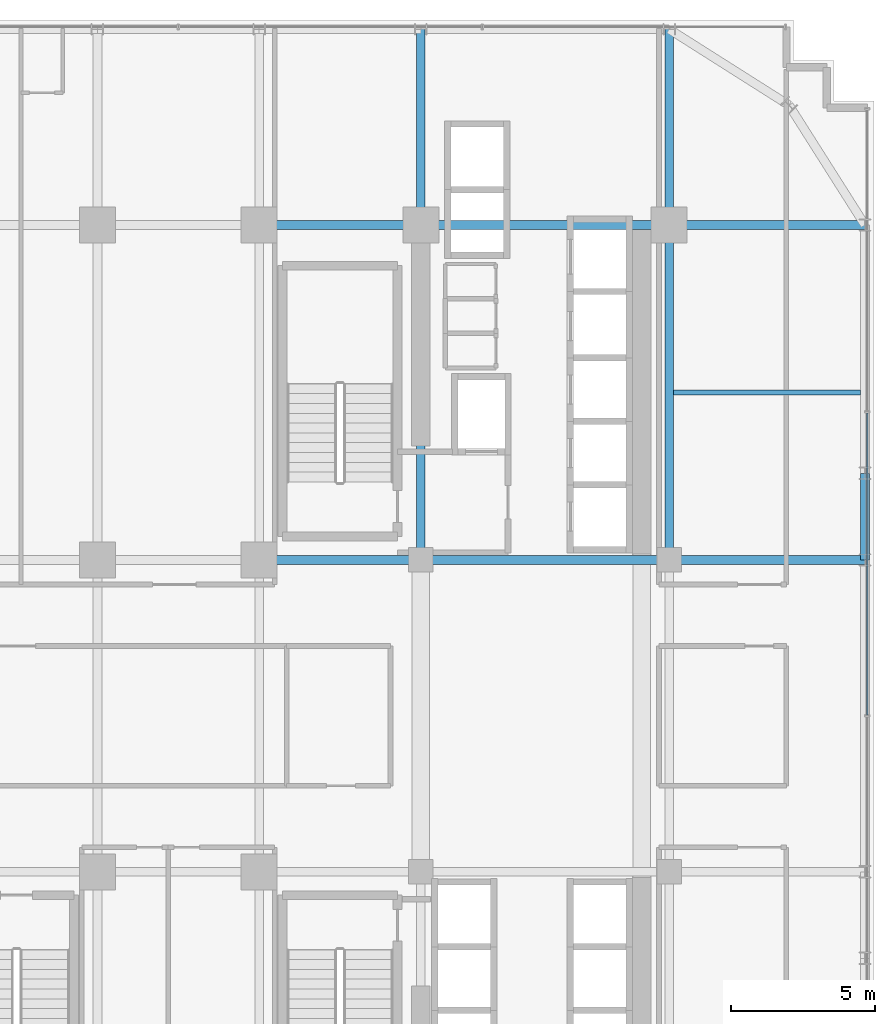
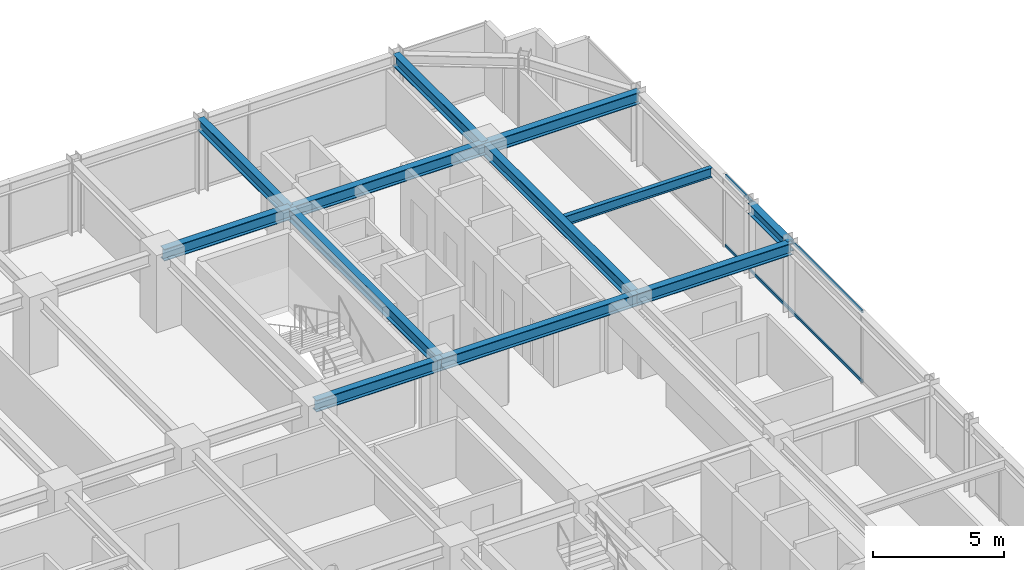
# One storey, part 21 of 32: 12 beams, 2 members, 1 element without a shape of its own.
"""IFC4 building model written with IfcOpenShell, lengths in metres."""

from ifc_helpers import new_model, si_unit, direction, frame, origin, origin_2d, place, context, subcontext, project, spatial, hollow_rectangle, i_section, extrude, source, transform, mapped, material, material_profile, profile_set, type_object, element, aggregate, save


model = new_model("IFC4")

# Units and contexts
model_context = context("Model", 3, precision=1e-05, world=origin(), true_north=direction((0.0, 1.0)))
body_context = subcontext(model_context, "Body", "Model", "MODEL_VIEW")
ifc_project = project(units=[si_unit("LENGTHUNIT", "METRE"), si_unit("AREAUNIT", "SQUARE_METRE"), si_unit("VOLUMEUNIT", "CUBIC_METRE"), si_unit("PLANEANGLEUNIT", "RADIAN"), si_unit("MASSUNIT", "GRAM", prefix="KILO")], contexts=[model_context])

# Site, building, storey
site_placement = place(None, origin())
site = spatial("IfcSite", under=ifc_project, at=site_placement, CompositionType="ELEMENT")
building_placement = place(site_placement, origin())
building = spatial("IfcBuilding", under=site, at=building_placement, Name="Nahalor Promenade Grand Hotel", CompositionType="ELEMENT")
storey_placement = place(building_placement, frame((0.0, 0.0, 110.199951171875)))
storey = spatial("IfcBuildingStorey", under=building, at=storey_placement, Name="L27", CompositionType="ELEMENT", Elevation=110.199951171875)

# Beams
ifc_material_1 = material(Name="Steel S355JR", Category="steel")
ifc_material_profile_1 = material_profile(ifc_material_1, i_section(OverallWidth=0.3, OverallDepth=0.5, WebThickness=0.0145, FlangeThickness=0.028, at=origin_2d()), Name="HEB 500")
ifc_profile_set_1 = profile_set([ifc_material_profile_1], Name="Steel S355JR")
beam_type_1 = type_object("IfcBeamType", Name="Beam-Spandrel-HEB500", PredefinedType="SPANDREL", material=ifc_profile_set_1)
shared_shape_1 = source(origin(), body_context, "Body", "SweptSolid", [
    extrude(i_section(OverallWidth=0.3, OverallDepth=0.5, WebThickness=0.0145, FlangeThickness=0.028, at=origin_2d()), origin(), (0.0, 0.0, 1.0), 3.0),
])
beam_1_placement = place(storey_placement, frame((23.780029296875, 5.39990234375, 3.130126953125), z_axis=(0.0, 1.0, 0.0), x_axis=(-1.0, 0.0, 0.0)))
element("IfcBeam", 1, at=beam_1_placement, inside=storey, type_object=beam_type_1, Name="BM-L27-SP-E-3", PredefinedType="SPANDREL", context=body_context, shape_type="MappedRepresentation", body=[
    mapped(shared_shape_1, transform((0.0, 0.0, 0.0), scale=1.0)),
])
ifc_material_profile_2 = material_profile(ifc_material_1, i_section(OverallWidth=0.3, OverallDepth=0.55, WebThickness=0.015, FlangeThickness=0.029, at=origin_2d()), Name="HEB 550")
ifc_profile_set_2 = profile_set([ifc_material_profile_2], Name="Steel S355JR")
beam_type_2 = type_object("IfcBeamType", Name="Beam-Girder-HEB550", PredefinedType="BEAM", material=ifc_profile_set_2)
shared_shape_2 = source(origin(), body_context, "Body", "SweptSolid", [
    extrude(i_section(OverallWidth=0.3, OverallDepth=0.55, WebThickness=0.015, FlangeThickness=0.029, at=origin_2d()), origin(), (0.0, 0.0, 1.0), 6.780029296875),
])
for number, where, z_axis, x_axis, name in (
    (2, (17.0, 5.39990234375, 3.10498046875), (1.0, 0.0, 0.0), (0.0, 1.0, 0.0), "BM-L27-GX-2-6"),
    (3, (17.0, 17.0, 3.10498046875), (1.0, 0.0, 0.0), (0.0, 1.0, 0.0), "BM-L27-GX-3-6"),
    (4, (8.39990234375, 17.0, 3.10498046875), (0.0, 1.0, 0.0), (-1.0, 0.0, 0.0), "BM-L27-GY-4-4"),
    (5, (17.0, 17.0, 3.10498046875), (0.0, 1.0, 0.0), (-1.0, 0.0, 0.0), "BM-L27-GY-5-4"),
):
    element("IfcBeam", number, at=place(storey_placement, frame(where, z_axis=z_axis, x_axis=x_axis)), inside=storey, type_object=beam_type_2, Name=name, PredefinedType="BEAM", context=body_context, shape_type="MappedRepresentation", body=[
        mapped(shared_shape_2, transform((0.0, 0.0, 0.0), scale=1.0)),
    ])
shared_shape_3 = source(origin(), body_context, "Body", "SweptSolid", [
    extrude(i_section(OverallWidth=0.3, OverallDepth=0.55, WebThickness=0.015, FlangeThickness=0.029, at=origin_2d()), origin(), (0.0, 0.0, 1.0), 8.60009765625),
])
for number, where, z_axis, x_axis, name in (
    (6, (8.39990234375, 5.39990234375, 3.10498046875), (1.0, 0.0, 0.0), (0.0, 1.0, 0.0), "BM-L27-GX-2-5"),
    (7, (8.39990234375, 17.0, 3.10498046875), (1.0, 0.0, 0.0), (0.0, 1.0, 0.0), "BM-L27-GX-3-5"),
):
    element("IfcBeam", number, at=place(storey_placement, frame(where, z_axis=z_axis, x_axis=x_axis)), inside=storey, type_object=beam_type_2, Name=name, PredefinedType="BEAM", context=body_context, shape_type="MappedRepresentation", body=[
        mapped(shared_shape_3, transform((0.0, 0.0, 0.0), scale=1.0)),
    ])
shared_shape_4 = source(origin(), body_context, "Body", "SweptSolid", [
    extrude(i_section(OverallWidth=0.3, OverallDepth=0.55, WebThickness=0.015, FlangeThickness=0.029, at=origin_2d()), origin(), (0.0, 0.0, 1.0), 5.599853515625),
])
for number, where, z_axis, x_axis, name in (
    (8, (2.800048828125, 5.39990234375, 3.10498046875), (1.0, 0.0, 0.0), (0.0, 1.0, 0.0), "BM-L27-GX-2-4"),
    (9, (2.800048828125, 17.0, 3.10498046875), (1.0, 0.0, 0.0), (0.0, 1.0, 0.0), "BM-L27-GX-3-4"),
):
    element("IfcBeam", number, at=place(storey_placement, frame(where, z_axis=z_axis, x_axis=x_axis)), inside=storey, type_object=beam_type_2, Name=name, PredefinedType="BEAM", context=body_context, shape_type="MappedRepresentation", body=[
        mapped(shared_shape_4, transform((0.0, 0.0, 0.0), scale=1.0)),
    ])
shared_shape_5 = source(origin(), body_context, "Body", "SweptSolid", [
    extrude(i_section(OverallWidth=0.3, OverallDepth=0.55, WebThickness=0.015, FlangeThickness=0.029, at=origin_2d()), origin(), (0.0, 0.0, 1.0), 11.60009765625),
])
for number, where, z_axis, x_axis, name in (
    (10, (8.39990234375, 5.39990234375, 3.10498046875), (0.0, 1.0, 0.0), (-1.0, 0.0, 0.0), "BM-L27-GY-4-3"),
    (11, (17.0, 5.39990234375, 3.10498046875), (0.0, 1.0, 0.0), (-1.0, 0.0, 0.0), "BM-L27-GY-5-3"),
):
    element("IfcBeam", number, at=place(storey_placement, frame(where, z_axis=z_axis, x_axis=x_axis)), inside=storey, type_object=beam_type_2, Name=name, PredefinedType="BEAM", context=body_context, shape_type="MappedRepresentation", body=[
        mapped(shared_shape_5, transform((0.0, 0.0, 0.0), scale=1.0)),
    ])
ifc_material_profile_3 = material_profile(ifc_material_1, i_section(OverallWidth=0.19, OverallDepth=0.45, WebThickness=0.0094, FlangeThickness=0.0146, at=origin_2d()), Name="IPE 450")
ifc_profile_set_3 = profile_set([ifc_material_profile_3], Name="Steel S355JR")
beam_type_3 = type_object("IfcBeamType", Name="Beam-Joist-IPE450", PredefinedType="JOIST", material=ifc_profile_set_3)
shared_shape_6 = source(origin(), body_context, "Body", "SweptSolid", [
    extrude(i_section(OverallWidth=0.19, OverallDepth=0.45, WebThickness=0.0094, FlangeThickness=0.0146, at=origin_2d()), origin(), (0.0, 0.0, 1.0), 6.47998046875),
])
beam_2_placement = place(storey_placement, frame((17.14990234375, 11.199951171875, 3.155029296875), z_axis=(1.0, 0.0, 0.0), x_axis=(0.0, 1.0, 0.0)))
element("IfcBeam", 12, at=beam_2_placement, inside=storey, type_object=beam_type_3, Name="BM-L27-JSE-1-2", PredefinedType="JOIST", context=body_context, shape_type="MappedRepresentation", body=[
    mapped(shared_shape_6, transform((0.0, 0.0, 0.0), scale=1.0)),
])

# Curtain wall, members
ifc_material_2 = material(Name="Anodised Bronze Aluminium EN AW-6063 T6", Category="aluminium")
curtain_wall_type = type_object("IfcCurtainWallType", Name="CW2 Typical Hotel Flush Bronze Unitised Curtain Wall", PredefinedType="USERDEFINED", material=ifc_material_2)
curtain_wall_placement = place(storey_placement, origin())
curtain_wall = element("IfcCurtainWall", 13, at=curtain_wall_placement, inside=storey, type_object=curtain_wall_type, Name="L27 Curtain Wall CW-L27-E-1", ObjectType="UNITISED_CURTAIN_WALL", PredefinedType="USERDEFINED")
ifc_material_profile_4 = material_profile(ifc_material_2, hollow_rectangle(XDim=0.065, YDim=0.13, WallThickness=0.004, at=origin_2d()), Name="CWT 65x130x4")
ifc_profile_set_4 = profile_set([ifc_material_profile_4], Name="Anodised Bronze Aluminium EN AW-6063 T6")
member_type = type_object("IfcMemberType", Name="CWT2 Typical Bronze Transom 65x130", PredefinedType="USERDEFINED", material=ifc_profile_set_4)
shared_shape_7 = source(origin(), body_context, "Body", "SweptSolid", [
    extrude(hollow_rectangle(XDim=0.065, YDim=0.13, WallThickness=0.004, at=origin_2d()), origin(), (0.0, 0.0, 1.0), 10.465087890625),
])
member_1_placement = place(storey_placement, frame((23.860107421875, 0.032470703125, 0.06494140625), z_axis=(0.0, 1.0, 0.0), x_axis=(-1.0, 0.0, 0.0)))
member_1 = element("IfcMember", 14, at=member_1_placement, type_object=member_type, Name="CW-L27-E-1 Transom 2-0", ObjectType="TRANSOM", PredefinedType="USERDEFINED", context=body_context, shape_type="MappedRepresentation", body=[
    mapped(shared_shape_7, transform((0.0, 0.0, 0.0), scale=1.0)),
])
member_2_placement = place(storey_placement, frame((23.860107421875, 0.032470703125, 3.31494140625), z_axis=(0.0, 1.0, 0.0), x_axis=(-1.0, 0.0, 0.0)))
member_2 = element("IfcMember", 15, at=member_2_placement, type_object=member_type, Name="CW-L27-E-1 Transom 2-1", ObjectType="TRANSOM", PredefinedType="USERDEFINED", context=body_context, shape_type="MappedRepresentation", body=[
    mapped(shared_shape_7, transform((0.0, 0.0, 0.0), scale=1.0)),
])
aggregate(curtain_wall, [member_1, member_2])

save(model, "model.ifc")
